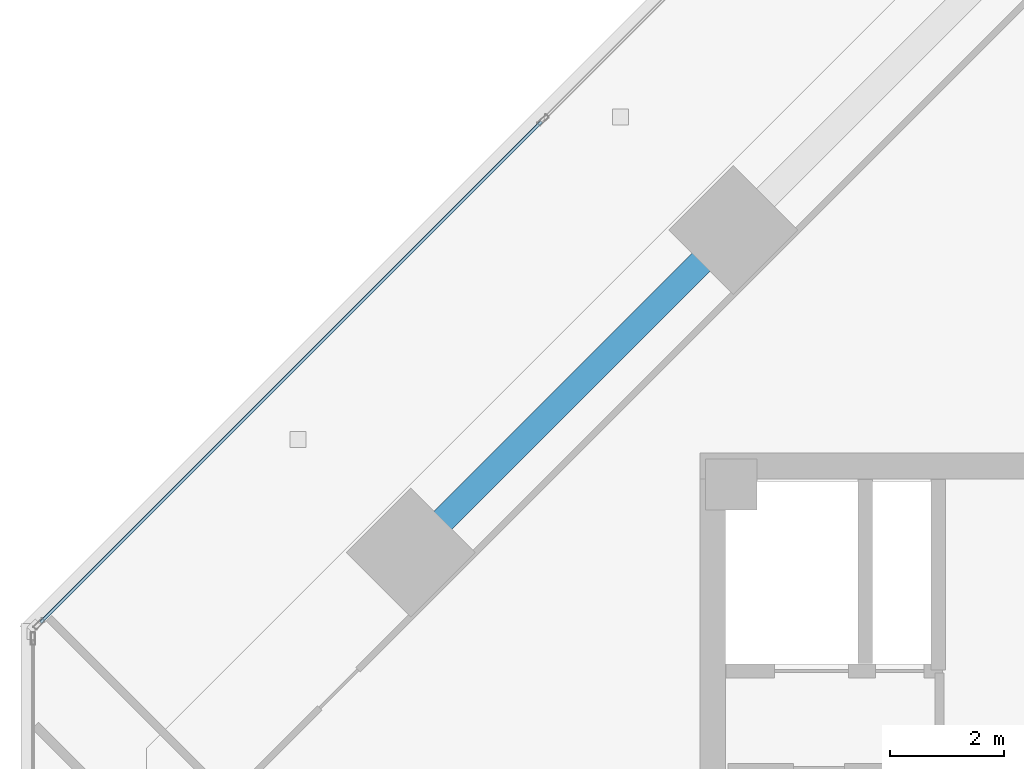
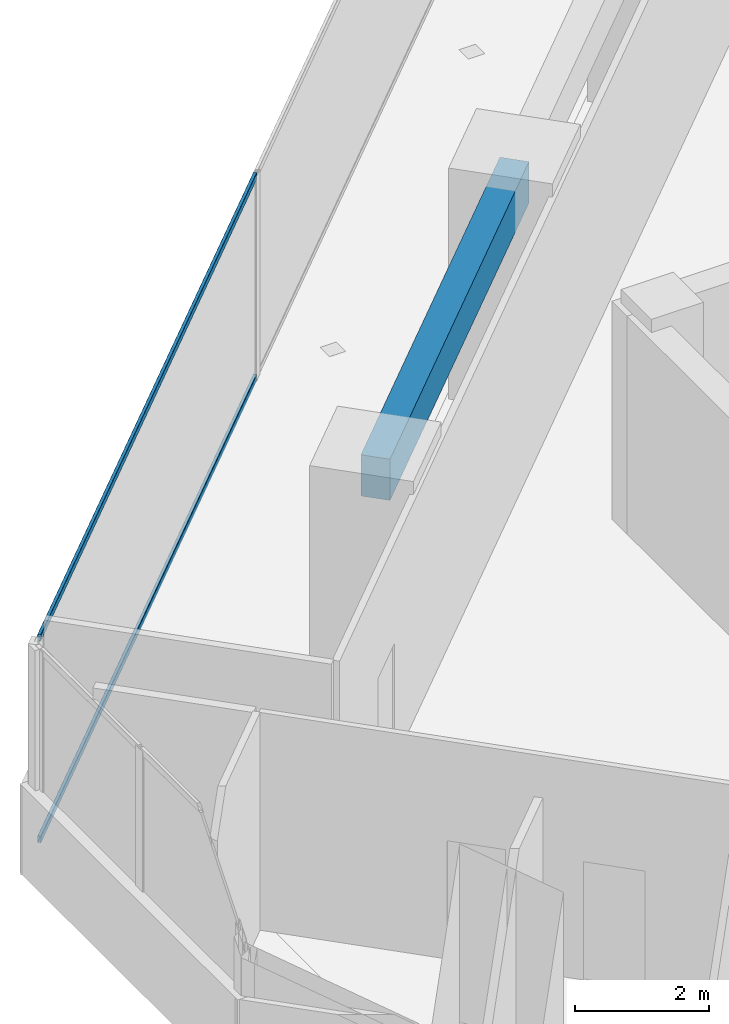
# One storey, part 5 of 17: 2 members, 1 beam, 1 element without a shape of its own.
"""IFC4 building model written with IfcOpenShell, lengths in metres."""

from ifc_helpers import new_model, si_unit, direction, frame, origin, origin_2d, place, context, subcontext, project, spatial, rectangle, hollow_rectangle, extrude, source, transform, mapped, material, material_profile, profile_set, type_object, element, aggregate, save


model = new_model("IFC4")

# Units and contexts
model_context = context("Model", 3, precision=1e-05, world=origin(), true_north=direction((0.0, 1.0)))
body_context = subcontext(model_context, "Body", "Model", "MODEL_VIEW")
ifc_project = project(units=[si_unit("LENGTHUNIT", "METRE"), si_unit("AREAUNIT", "SQUARE_METRE"), si_unit("VOLUMEUNIT", "CUBIC_METRE"), si_unit("PLANEANGLEUNIT", "RADIAN"), si_unit("MASSUNIT", "GRAM", prefix="KILO")], contexts=[model_context])

# Site, building, storey
site_placement = place(None, origin())
site = spatial("IfcSite", under=ifc_project, at=site_placement, CompositionType="ELEMENT")
building_placement = place(site_placement, origin())
building = spatial("IfcBuilding", under=site, at=building_placement, Name="Torre Montelarca", CompositionType="ELEMENT")
storey_placement = place(building_placement, frame((0.0, 0.0, 241.60009765625)))
storey = spatial("IfcBuildingStorey", under=building, at=storey_placement, Name="L54", CompositionType="ELEMENT", Elevation=241.60009765625)

# Beam
ifc_material_1 = material(Name="Concrete C55/67", Category="concrete")
ifc_material_profile_1 = material_profile(ifc_material_1, rectangle(XDim=0.449951171875, YDim=0.75, at=origin_2d()), Name="RCB450X750", Category="concrete")
ifc_profile_set_1 = profile_set([ifc_material_profile_1], Name="Concrete C55/67")
beam_type = type_object("IfcBeamType", Name="BM-SP-RC750-EXT", PredefinedType="SPANDREL", material=ifc_profile_set_1)
shared_shape_1 = source(origin(), body_context, "Body", "SweptSolid", [
    extrude(rectangle(XDim=0.449951171875, YDim=0.75, at=origin_2d()), origin(), (0.0, 0.0, 1.0), 8.0),
])
beam_placement = place(storey_placement, frame((3.928466796875, 38.2578125, 3.5849609375), z_axis=(0.707091522249, 0.707122039795, 0.0), x_axis=(-0.707122039795, 0.707091522249, 0.0)))
element("IfcBeam", 1, at=beam_placement, inside=storey, type_object=beam_type, Name="L54 Grid Girder Y 24.0-32.0 at X=4.7", PredefinedType="SPANDREL", context=body_context, shape_type="MappedRepresentation", body=[
    mapped(shared_shape_1, transform((0.0, 0.0, 0.0), scale=1.0)),
])

# Curtain wall, members
ifc_material_2 = material(Name="Insulated low-E laminated glass", Category="glass")
curtain_wall_type = type_object("IfcCurtainWallType", Name="CW-SYS-Z3", PredefinedType="USERDEFINED", material=ifc_material_2)
curtain_wall_placement = place(storey_placement, origin())
curtain_wall = element("IfcCurtainWall", 2, at=curtain_wall_placement, inside=storey, type_object=curtain_wall_type, Name="L54 Curtain Wall Run CW-T3-L54-E10-B1", ObjectType="UNITISED GLAZING", PredefinedType="USERDEFINED")
ifc_material_3 = material(Name="Anodised aluminium AA 6063-T6", Category="aluminium")
ifc_material_profile_2 = material_profile(ifc_material_3, hollow_rectangle(XDim=0.054931640625, YDim=0.1201171875, WallThickness=0.00341796875, InnerFilletRadius=0.00341796875, OuterFilletRadius=0.007080078125, at=origin_2d()), Name="ALU55X120X3.5", Category="aluminium")
ifc_profile_set_2 = profile_set([ifc_material_profile_2], Name="Anodised aluminium AA 6063-T6")
member_type = type_object("IfcMemberType", Name="CWT-ALU120", PredefinedType="USERDEFINED", material=ifc_profile_set_2)
shared_shape_2 = source(origin(), body_context, "Body", "SweptSolid", [
    extrude(hollow_rectangle(XDim=0.054931640625, YDim=0.1201171875, WallThickness=0.00341796875, InnerFilletRadius=0.00341796875, OuterFilletRadius=0.007080078125, at=origin_2d()), origin(), (0.0, 0.0, 1.0), 12.421630859375),
])
member_1_placement = place(storey_placement, frame((6.22119140625, 45.8115234375, 0.02734375), z_axis=(-0.707106781187, -0.707106781187, 0.0), x_axis=(0.707106781187, -0.707106781187, 0.0)))
member_1 = element("IfcMember", 3, at=member_1_placement, type_object=member_type, Name="CW transom 2.1", ObjectType="TRANSOM", PredefinedType="USERDEFINED", context=body_context, shape_type="MappedRepresentation", body=[
    mapped(shared_shape_2, transform((0.0, 0.0, 0.0), scale=1.0)),
])
member_2_placement = place(storey_placement, frame((6.22119140625, 45.8115234375, 3.6923828125), z_axis=(-0.707106781187, -0.707106781187, 0.0), x_axis=(0.707106781187, -0.707106781187, 0.0)))
member_2 = element("IfcMember", 4, at=member_2_placement, type_object=member_type, Name="CW transom 2.2", ObjectType="TRANSOM", PredefinedType="USERDEFINED", context=body_context, shape_type="MappedRepresentation", body=[
    mapped(shared_shape_2, transform((0.0, 0.0, 0.0), scale=1.0)),
])
aggregate(curtain_wall, [member_1, member_2])

save(model, "model.ifc")
